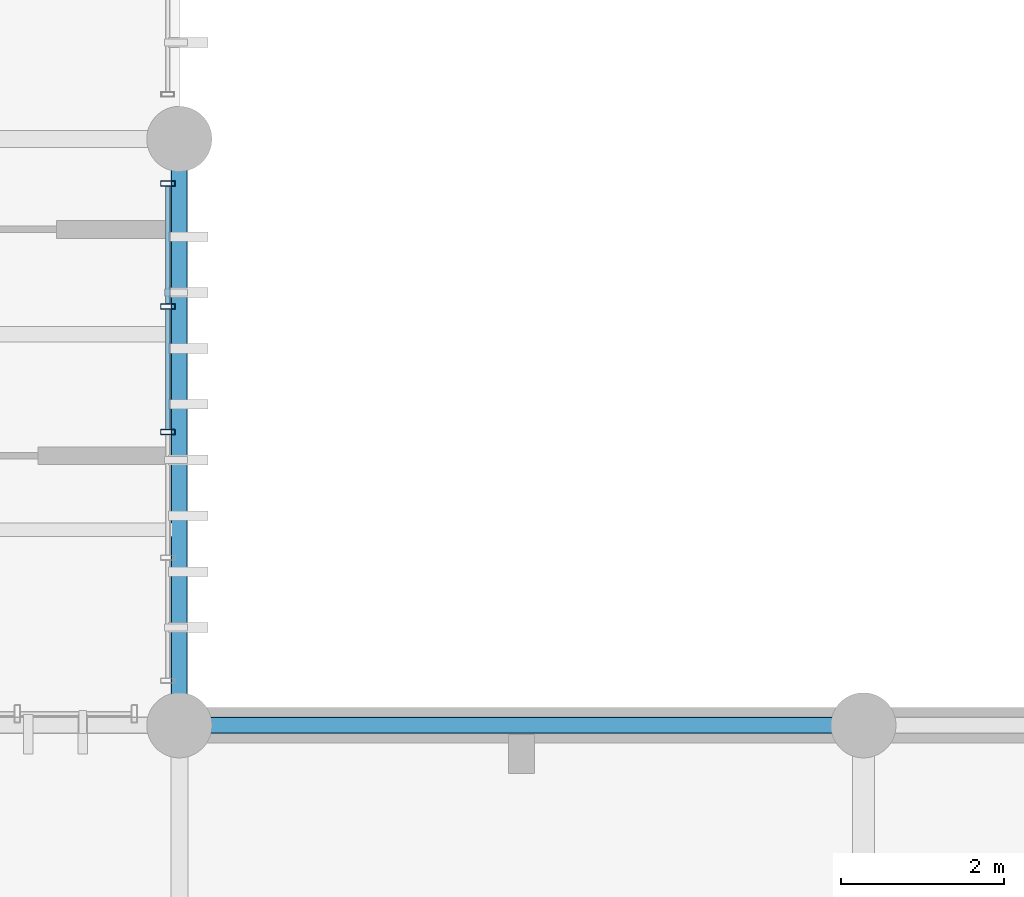
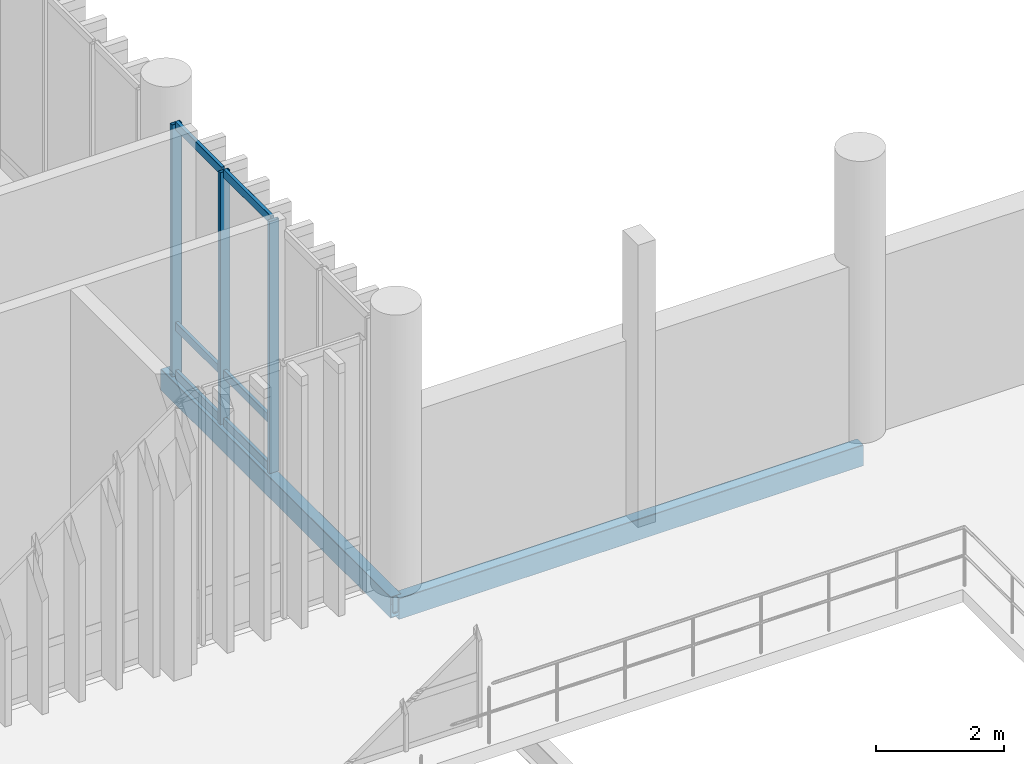
# One storey, part 64 of 128: 9 members, 2 beams, 1 element without a shape of its own.
"""IFC4 building model written with IfcOpenShell, lengths in metres."""

from ifc_helpers import new_model, si_unit, direction, frame, origin_with_axes, origin_2d_with_axis, place, context, subcontext, project, spatial, hollow_rectangle, extrude, material, material_profile, profile_set, type_object, element, aggregate, save


model = new_model("IFC4")

# Units and contexts
model_context = context("Model", 3, precision=1e-05, world=origin_with_axes(), true_north=direction((0.0, 1.0)))
body_context = subcontext(model_context, "Body", "Model", "MODEL_VIEW")
ifc_project = project(units=[si_unit("LENGTHUNIT", "METRE"), si_unit("AREAUNIT", "SQUARE_METRE"), si_unit("VOLUMEUNIT", "CUBIC_METRE"), si_unit("PLANEANGLEUNIT", "RADIAN"), si_unit("MASSUNIT", "GRAM", prefix="KILO"), si_unit("THERMODYNAMICTEMPERATUREUNIT", "KELVIN")], contexts=[model_context])

# Site, building, storey
site_placement = place(None, origin_with_axes())
site = spatial("IfcSite", under=ifc_project, at=site_placement, CompositionType="ELEMENT")
building_placement = place(site_placement, origin_with_axes())
building = spatial("IfcBuilding", under=site, at=building_placement, Name="Montbau Bow Law Courts", CompositionType="ELEMENT")
storey_placement = place(building_placement, frame((0.0, 0.0, 5.4), z_axis=(0.0, 0.0, 1.0), x_axis=(1.0, 0.0, 0.0)))
storey = spatial("IfcBuildingStorey", under=building, at=storey_placement, Name="L01", CompositionType="ELEMENT", Elevation=5.4)

# Beams
ifc_material_1 = material(Name="Steel CSA G40.21 Grade 350WT (350 MPa)", Category="steel")
ifc_material_profile_1 = material_profile(ifc_material_1, hollow_rectangle(XDim=0.203, YDim=0.406, WallThickness=0.0127, InnerFilletRadius=0.0254, OuterFilletRadius=0.0127, at=origin_2d_with_axis()), Name="HSS406X203X13", Category="Main", Priority=0)
ifc_profile_set_1 = profile_set([ifc_material_profile_1], Name="Steel CSA G40.21 Grade 350WT (350 MPa)")
beam_type = type_object("IfcBeamType", Name="B-SPN-01", PredefinedType="SPANDREL", material=ifc_profile_set_1)
beam_1_placement = place(None, frame((97.2, 39.0, 4.957), z_axis=(0.0, 1.0, 0.0), x_axis=(-1.0, 0.0, 0.0)))
element("IfcBeam", 1, at=beam_1_placement, inside=storey, type_object=beam_type, Name="SPN-L01-S0837:bm2_0840", PredefinedType="SPANDREL", context=body_context, shape_type="SweptSolid", body=[
    extrude(hollow_rectangle(XDim=0.203, YDim=0.406, WallThickness=0.0127, InnerFilletRadius=0.0254, OuterFilletRadius=0.0127, at=origin_2d_with_axis()), origin_with_axes(), (0.0, 0.0, 1.0), 7.2),
])
beam_2_placement = place(None, frame((97.2, 39.0, 4.957), z_axis=(1.0, 0.0, 0.0), x_axis=(0.0, 1.0, 0.0)))
element("IfcBeam", 2, at=beam_2_placement, inside=storey, type_object=beam_type, Name="SPN-L01-S1079:bm2_1082", PredefinedType="SPANDREL", context=body_context, shape_type="SweptSolid", body=[
    extrude(hollow_rectangle(XDim=0.203, YDim=0.406, WallThickness=0.0127, InnerFilletRadius=0.0254, OuterFilletRadius=0.0127, at=origin_2d_with_axis()), origin_with_axes(), (0.0, 0.0, 1.0), 8.4),
])

# Curtain wall, members
ifc_material_2 = material(Name="Thermally Broken Extruded Aluminium AA 6063-T6", Category="aluminium")
curtain_wall_type = type_object("IfcCurtainWallType", Name="CW-CRM-01", PredefinedType="NOTDEFINED", material=ifc_material_2)
curtain_wall_placement = place(None, frame((97.06, 39.515, 5.4), z_axis=(0.0, 0.0, 1.0), x_axis=(1.0, 0.0, 0.0)))
curtain_wall = element("IfcCurtainWall", 3, at=curtain_wall_placement, inside=storey, type_object=curtain_wall_type, Name="CW-L01-154:cw_0154", PredefinedType="NOTDEFINED")
ifc_material_profile_2 = material_profile(ifc_material_2, hollow_rectangle(XDim=0.065, YDim=0.18, WallThickness=0.005, InnerFilletRadius=0.01, OuterFilletRadius=0.005, at=origin_2d_with_axis()), Name="CWM-180X65", Category="Main", Priority=0)
ifc_profile_set_2 = profile_set([ifc_material_profile_2], Name="Thermally Broken Extruded Aluminium AA 6063-T6")
member_type_1 = type_object("IfcMemberType", Name="M-MUL-02", PredefinedType="MULLION", material=ifc_profile_set_2)
member_1_placement = place(None, frame((97.06, 42.6, 5.4), z_axis=(0.0, 0.0, 1.0), x_axis=(0.0, 1.0, 0.0)))
member_1 = element("IfcMember", 4, at=member_1_placement, type_object=member_type_1, Name="CW-L01-154-M03:cw_0154_M03", PredefinedType="MULLION", context=body_context, shape_type="SweptSolid", body=[
    extrude(hollow_rectangle(XDim=0.065, YDim=0.18, WallThickness=0.005, InnerFilletRadius=0.01, OuterFilletRadius=0.005, at=origin_2d_with_axis()), origin_with_axes(), (0.0, 0.0, 1.0), 4.82),
])
member_2_placement = place(None, frame((97.06, 44.143, 5.4), z_axis=(0.0, 0.0, 1.0), x_axis=(0.0, 1.0, 0.0)))
member_2 = element("IfcMember", 5, at=member_2_placement, type_object=member_type_1, Name="CW-L01-154-M04:cw_0154_M04", PredefinedType="MULLION", context=body_context, shape_type="SweptSolid", body=[
    extrude(hollow_rectangle(XDim=0.065, YDim=0.18, WallThickness=0.005, InnerFilletRadius=0.01, OuterFilletRadius=0.005, at=origin_2d_with_axis()), origin_with_axes(), (0.0, 0.0, 1.0), 4.82),
])
member_3_placement = place(None, frame((97.06, 45.653, 5.4), z_axis=(0.0, 0.0, 1.0), x_axis=(0.0, 1.0, 0.0)))
member_3 = element("IfcMember", 6, at=member_3_placement, type_object=member_type_1, Name="CW-L01-154-M05:cw_0154_M05", PredefinedType="MULLION", context=body_context, shape_type="SweptSolid", body=[
    extrude(hollow_rectangle(XDim=0.065, YDim=0.18, WallThickness=0.005, InnerFilletRadius=0.01, OuterFilletRadius=0.005, at=origin_2d_with_axis()), origin_with_axes(), (0.0, 0.0, 1.0), 4.82),
])
ifc_material_profile_3 = material_profile(ifc_material_2, hollow_rectangle(XDim=0.06, YDim=0.16, WallThickness=0.004, InnerFilletRadius=0.008, OuterFilletRadius=0.004, at=origin_2d_with_axis()), Name="CWT-160X60", Category="Main", Priority=0)
ifc_profile_set_3 = profile_set([ifc_material_profile_3], Name="Thermally Broken Extruded Aluminium AA 6063-T6")
member_type_2 = type_object("IfcMemberType", Name="M-TRN-01", PredefinedType="USERDEFINED", material=ifc_profile_set_3)
member_4_placement = place(None, frame((97.06, 42.634, 5.43), z_axis=(0.0, 1.0, 0.0), x_axis=(-1.0, 0.0, 0.0)))
member_4 = element("IfcMember", 7, at=member_4_placement, type_object=member_type_2, Name="CW-L01-154-T03-1:cw_0154_T03_1", ObjectType="TRANSOM", PredefinedType="USERDEFINED", context=body_context, shape_type="SweptSolid", body=[
    extrude(hollow_rectangle(XDim=0.06, YDim=0.16, WallThickness=0.004, InnerFilletRadius=0.008, OuterFilletRadius=0.004, at=origin_2d_with_axis()), origin_with_axes(), (0.0, 0.0, 1.0), 1.475),
])
member_5_placement = place(None, frame((97.06, 42.634, 6.35), z_axis=(0.0, 1.0, 0.0), x_axis=(-1.0, 0.0, 0.0)))
member_5 = element("IfcMember", 8, at=member_5_placement, type_object=member_type_2, Name="CW-L01-154-T03-2:cw_0154_T03_2", ObjectType="TRANSOM", PredefinedType="USERDEFINED", context=body_context, shape_type="SweptSolid", body=[
    extrude(hollow_rectangle(XDim=0.06, YDim=0.16, WallThickness=0.004, InnerFilletRadius=0.008, OuterFilletRadius=0.004, at=origin_2d_with_axis()), origin_with_axes(), (0.0, 0.0, 1.0), 1.475),
])
member_6_placement = place(None, frame((97.06, 42.634, 10.19), z_axis=(0.0, 1.0, 0.0), x_axis=(-1.0, 0.0, 0.0)))
member_6 = element("IfcMember", 9, at=member_6_placement, type_object=member_type_2, Name="CW-L01-154-T03-3:cw_0154_T03_3", ObjectType="TRANSOM", PredefinedType="USERDEFINED", context=body_context, shape_type="SweptSolid", body=[
    extrude(hollow_rectangle(XDim=0.06, YDim=0.16, WallThickness=0.004, InnerFilletRadius=0.008, OuterFilletRadius=0.004, at=origin_2d_with_axis()), origin_with_axes(), (0.0, 0.0, 1.0), 1.475),
])
member_7_placement = place(None, frame((97.06, 44.177, 5.43), z_axis=(0.0, 1.0, 0.0), x_axis=(-1.0, 0.0, 0.0)))
member_7 = element("IfcMember", 10, at=member_7_placement, type_object=member_type_2, Name="CW-L01-154-T04-1:cw_0154_T04_1", ObjectType="TRANSOM", PredefinedType="USERDEFINED", context=body_context, shape_type="SweptSolid", body=[
    extrude(hollow_rectangle(XDim=0.06, YDim=0.16, WallThickness=0.004, InnerFilletRadius=0.008, OuterFilletRadius=0.004, at=origin_2d_with_axis()), origin_with_axes(), (0.0, 0.0, 1.0), 1.442),
])
member_8_placement = place(None, frame((97.06, 44.177, 6.35), z_axis=(0.0, 1.0, 0.0), x_axis=(-1.0, 0.0, 0.0)))
member_8 = element("IfcMember", 11, at=member_8_placement, type_object=member_type_2, Name="CW-L01-154-T04-2:cw_0154_T04_2", ObjectType="TRANSOM", PredefinedType="USERDEFINED", context=body_context, shape_type="SweptSolid", body=[
    extrude(hollow_rectangle(XDim=0.06, YDim=0.16, WallThickness=0.004, InnerFilletRadius=0.008, OuterFilletRadius=0.004, at=origin_2d_with_axis()), origin_with_axes(), (0.0, 0.0, 1.0), 1.442),
])
member_9_placement = place(None, frame((97.06, 44.177, 10.19), z_axis=(0.0, 1.0, 0.0), x_axis=(-1.0, 0.0, 0.0)))
member_9 = element("IfcMember", 12, at=member_9_placement, type_object=member_type_2, Name="CW-L01-154-T04-3:cw_0154_T04_3", ObjectType="TRANSOM", PredefinedType="USERDEFINED", context=body_context, shape_type="SweptSolid", body=[
    extrude(hollow_rectangle(XDim=0.06, YDim=0.16, WallThickness=0.004, InnerFilletRadius=0.008, OuterFilletRadius=0.004, at=origin_2d_with_axis()), origin_with_axes(), (0.0, 0.0, 1.0), 1.442),
])
aggregate(curtain_wall, [member_1, member_2, member_3, member_4, member_5, member_6, member_7, member_8, member_9])

save(model, "model.ifc")
